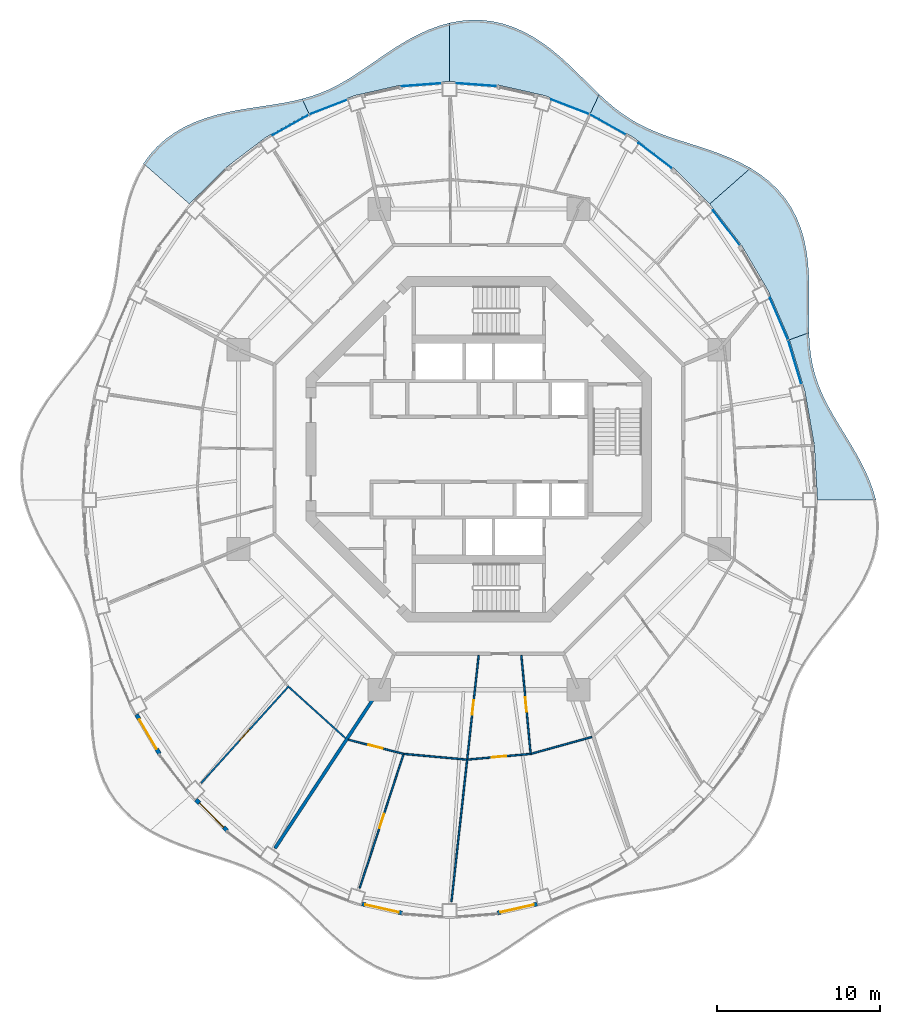
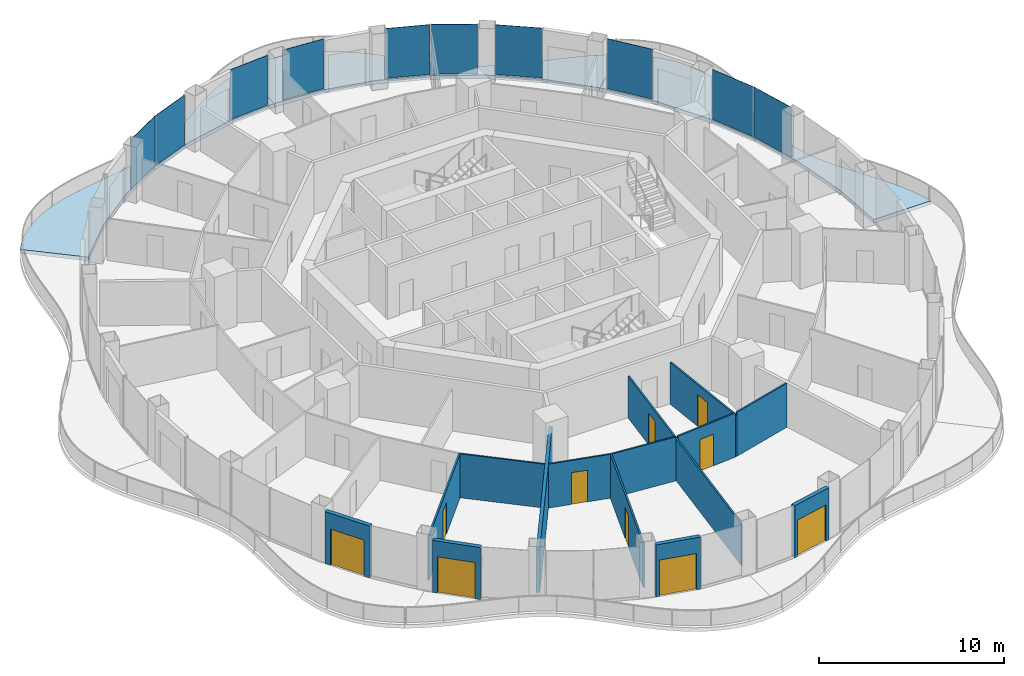
# One storey, part 9 of 17: 14 walls, 10 doors, 10 plates, 6 slabs, 10 openings, 10 elements without a shape of their own.
"""IFC4 building model written with IfcOpenShell, lengths in metres."""

from ifc_helpers import new_model, si_unit, direction, frame, frame_2d, origin, origin_2d, place, context, subcontext, project, spatial, polyline, rectangle, outline, extrude, material, layer, layer_set, type_object, element, fill, aggregate, save


model = new_model("IFC4")

# Units and contexts
model_context = context("Model", 3, precision=1e-05, world=origin(), true_north=direction((0.0, 1.0)))
body_context = subcontext(model_context, "Body", "Model", "MODEL_VIEW")
ifc_project = project(units=[si_unit("LENGTHUNIT", "METRE"), si_unit("AREAUNIT", "SQUARE_METRE"), si_unit("VOLUMEUNIT", "CUBIC_METRE"), si_unit("PLANEANGLEUNIT", "RADIAN"), si_unit("MASSUNIT", "GRAM", prefix="KILO")], contexts=[model_context])

# Site, building, storey
site_placement = place(None, origin())
site = spatial("IfcSite", under=ifc_project, at=site_placement, CompositionType="ELEMENT")
building_placement = place(site_placement, origin())
building = spatial("IfcBuilding", under=site, at=building_placement, Name="Nagisa Residences", CompositionType="ELEMENT")
storey_placement = place(building_placement, frame((0.0, 0.0, 273.300048828125)))
storey = spatial("IfcBuildingStorey", under=building, at=storey_placement, Name="L69", CompositionType="ELEMENT", Elevation=273.300048828125)

# Slabs
ifc_material_1 = material(Name="Concrete C40/50", Category="concrete")
ifc_layer_1 = layer(ifc_material_1, 0.25)
ifc_layer_set_1 = layer_set([ifc_layer_1], Name="BALCONY SLAB 250")
slab_type = type_object("IfcSlabType", Name="BALCONY SLAB 250", PredefinedType="FLOOR", material=ifc_layer_set_1)
slab_1_placement = place(storey_placement, frame((0.0, 0.0, -0.25)))
element("IfcSlab", 1, at=slab_1_placement, inside=storey, type_object=slab_type, Name="slab:L69:bal00", PredefinedType="FLOOR", context=body_context, shape_type="SweptSolid", body=[
    extrude(outline(polyline([(24.41357421875, -3.11767578125), (24.20654296875, -2.416748046875), (23.939697265625, -1.726806640625), (23.624267578125, -1.0498046875), (23.2724609375, -0.3876953125), (22.897705078125, 0.25927734375), (22.513671875, 0.891845703125), (22.134033203125, 1.51220703125), (21.77099609375, 2.123291015625), (21.435791015625, 2.728515625), (21.13720703125, 3.33251953125), (20.88232421875, 3.93994140625), (20.674560546875, 4.55517578125), (20.515380859375, 5.1826171875), (20.403076171875, 5.825927734375), (20.3330078125, 6.48779296875), (20.298095703125, 7.16943359375), (19.09814453125, 6.732666015625), (20.04931640625, 3.544189453125), (20.62646484375, 0.241943359375), (20.820068359375, -3.11767578125), (24.41357421875, -3.11767578125)])), origin(), (0.0, 0.0, 1.0), 0.25),
])
slab_2_placement = place(storey_placement, frame((0.0, 0.0, -0.25)))
element("IfcSlab", 2, at=slab_2_placement, inside=storey, type_object=slab_type, Name="slab:L69:bal01", PredefinedType="FLOOR", context=body_context, shape_type="SweptSolid", body=[
    extrude(outline(polyline([(20.298095703125, 7.16943359375), (20.2890625, 7.84912109375), (20.29443359375, 8.546142578125), (20.303466796875, 9.258544921875), (20.30419921875, 9.98193359375), (20.28515625, 10.711181640625), (20.2353515625, 11.440673828125), (20.14453125, 12.1630859375), (20.00390625, 12.871826171875), (19.80615234375, 13.558837890625), (19.546875, 14.217529296875), (19.22314453125, 14.841064453125), (18.83447265625, 15.424072265625), (18.38330078125, 15.962158203125), (17.873046875, 16.452392578125), (17.310302734375, 16.89404296875), (16.70263671875, 17.287353515625), (14.19482421875, 15.083251953125), (16.145751953125, 12.5517578125), (17.78955078125, 9.752197265625), (19.09814453125, 6.732666015625), (20.298095703125, 7.16943359375)])), origin(), (0.0, 0.0, 1.0), 0.25),
])
slab_3_placement = place(storey_placement, frame((0.0, 0.0, -0.25)))
element("IfcSlab", 3, at=slab_3_placement, inside=storey, type_object=slab_type, Name="slab:L69:bal02", PredefinedType="FLOOR", context=body_context, shape_type="SweptSolid", body=[
    extrude(outline(polyline([(16.70263671875, 17.287353515625), (16.08984375, 17.61962890625), (15.45263671875, 17.91455078125), (14.7998046875, 18.1767578125), (14.139892578125, 18.4130859375), (13.480712890625, 18.630615234375), (12.829833984375, 18.837158203125), (12.193359375, 19.041015625), (11.576171875, 19.250732421875), (10.9814453125, 19.4736328125), (10.41064453125, 19.717041015625), (9.864501953125, 19.98681640625), (9.341064453125, 20.287109375), (8.837646484375, 20.620849609375), (8.350341796875, 20.989013671875), (7.873779296875, 21.390380859375), (7.402587890625, 21.822021484375), (6.856201171875, 20.6630859375), (9.510009765625, 19.173828125), (11.97021484375, 17.30322265625), (14.19482421875, 15.083251953125), (16.70263671875, 17.287353515625)])), origin(), (0.0, 0.0, 1.0), 0.25),
])
slab_4_placement = place(storey_placement, frame((0.0, 0.0, -0.25)))
element("IfcSlab", 4, at=slab_4_placement, inside=storey, type_object=slab_type, Name="slab:L69:bal03", PredefinedType="FLOOR", context=body_context, shape_type="SweptSolid", body=[
    extrude(outline(polyline([(7.402587890625, 21.822021484375), (6.94775390625, 22.261474609375), (6.487060546875, 22.718017578125), (6.015625, 23.184326171875), (5.528564453125, 23.651611328125), (5.0224609375, 24.110595703125), (4.494873046875, 24.551513671875), (3.943603515625, 24.96435546875), (3.36865234375, 25.33984375), (2.770751953125, 25.668701171875), (2.151611328125, 25.943603515625), (1.51416015625, 26.15771484375), (0.862060546875, 26.306640625), (0.199951171875, 26.38671875), (-0.4677734375, 26.3974609375), (-1.135986328125, 26.339599609375), (-1.800048828125, 26.2158203125), (-1.800048828125, 22.622314453125), (1.152587890625, 22.402099609375), (4.054443359375, 21.745361328125), (6.856201171875, 20.6630859375), (7.402587890625, 21.822021484375)])), origin(), (0.0, 0.0, 1.0), 0.25),
])
slab_5_placement = place(storey_placement, frame((0.0, 0.0, -0.25)))
element("IfcSlab", 5, at=slab_5_placement, inside=storey, type_object=slab_type, Name="slab:L69:bal04", PredefinedType="FLOOR", context=body_context, shape_type="SweptSolid", body=[
    extrude(outline(polyline([(-1.800048828125, 26.2158203125), (-2.455322265625, 26.03125), (-3.09814453125, 25.792236328125), (-3.7255859375, 25.506591796875), (-4.33544921875, 25.183349609375), (-4.9267578125, 24.83203125), (-5.5, 24.462890625), (-6.056396484375, 24.086181640625), (-6.597900390625, 23.7109375), (-7.128173828125, 23.346435546875), (-7.650634765625, 23.00048828125), (-8.169921875, 22.678955078125), (-8.690673828125, 22.386962890625), (-9.21728515625, 22.127197265625), (-9.75390625, 21.90087890625), (-10.304443359375, 21.707275390625), (-10.87158203125, 21.543701171875), (-10.456298828125, 20.6630859375), (-7.654541015625, 21.745361328125), (-4.75244140625, 22.402099609375), (-1.800048828125, 22.622314453125), (-1.800048828125, 26.2158203125)])), origin(), (0.0, 0.0, 1.0), 0.25),
])
slab_6_placement = place(storey_placement, frame((0.0, 0.0, -0.25)))
element("IfcSlab", 6, at=slab_6_placement, inside=storey, type_object=slab_type, Name="slab:L69:bal05", PredefinedType="FLOOR", context=body_context, shape_type="SweptSolid", body=[
    extrude(outline(polyline([(-10.87158203125, 21.543701171875), (-11.4794921875, 21.401611328125), (-12.10791015625, 21.28125), (-12.75634765625, 21.17529296875), (-13.42236328125, 21.074951171875), (-14.102294921875, 20.971435546875), (-14.791259765625, 20.85546875), (-15.482666015625, 20.71826171875), (-16.169921875, 20.55126953125), (-16.84521484375, 20.34716796875), (-17.50048828125, 20.099853515625), (-18.1279296875, 19.8046875), (-18.72021484375, 19.458984375), (-19.270751953125, 19.061279296875), (-19.77392578125, 18.6123046875), (-20.2255859375, 18.11376953125), (-20.623779296875, 17.5693359375), (-17.794677734375, 15.083251953125), (-15.570068359375, 17.30322265625), (-13.110107421875, 19.173828125), (-10.456298828125, 20.6630859375), (-10.87158203125, 21.543701171875)])), origin(), (0.0, 0.0, 1.0), 0.25),
])

# Curtain wall, plate
ifc_material_2 = material(Name="Concrete-coloured aluminium curtain wall system", Category="concrete")
ifc_layer_2 = layer(ifc_material_2, 0.159912109375)
ifc_layer_set_2 = layer_set([ifc_layer_2], Name="CW1 CURTAIN WALL")
curtain_wall_type = type_object("IfcCurtainWallType", Name="CW1 CURTAIN WALL", PredefinedType="NOTDEFINED", material=ifc_layer_set_2)
curtain_wall_1_placement = place(storey_placement, origin())
curtain_wall_1 = element("IfcCurtainWall", 7, at=curtain_wall_1_placement, inside=storey, type_object=curtain_wall_type, Name="cw:CW1:L69:02", PredefinedType="NOTDEFINED")
ifc_material_3 = material(Name="Clear laminated glass", Category="glass")
ifc_layer_3 = layer(ifc_material_3, 0.028076171875)
ifc_layer_set_3 = layer_set([ifc_layer_3], Name="CW1 GLASS PANEL")
plate_type = type_object("IfcPlateType", Name="CW1 GLASS PANEL", PredefinedType="CURTAIN_PANEL", material=ifc_layer_set_3)
plate_1_placement = place(storey_placement, frame((19.424072265625, 5.35986328125, 0.14990234375), z_axis=(0.0, 0.0, 1.0), x_axis=(-0.285860274038, 0.958271310082, 0.0)))
plate_1 = element("IfcPlate", 8, at=plate_1_placement, type_object=plate_type, Name="CW1 panel", PredefinedType="CURTAIN_PANEL", context=body_context, shape_type="SweptSolid", body=[
    extrude(rectangle(XDim=2.817138671875, YDim=0.028076171875, at=origin_2d()), origin(), (0.0, 0.0, 1.0), 3.2900390625),
])
aggregate(curtain_wall_1, [plate_1])

curtain_wall_2_placement = place(storey_placement, origin())
curtain_wall_2 = element("IfcCurtainWall", 9, at=curtain_wall_2_placement, inside=storey, type_object=curtain_wall_type, Name="cw:CW1:L69:03", PredefinedType="NOTDEFINED")
plate_2_placement = place(storey_placement, frame((18.447998046875, 8.03173828125, 0.14990234375), z_axis=(0.0, 0.0, 1.0), x_axis=(-0.397635934147, 0.917543276295, 0.0)))
plate_2 = element("IfcPlate", 10, at=plate_2_placement, type_object=plate_type, Name="CW1 panel", PredefinedType="CURTAIN_PANEL", context=body_context, shape_type="SweptSolid", body=[
    extrude(rectangle(XDim=2.781005859375, YDim=0.028076171875, at=origin_2d()), origin(), (0.0, 0.0, 1.0), 3.2900390625),
])
aggregate(curtain_wall_2, [plate_2])

curtain_wall_3_placement = place(storey_placement, origin())
curtain_wall_3 = element("IfcCurtainWall", 11, at=curtain_wall_3_placement, inside=storey, type_object=curtain_wall_type, Name="cw:CW1:L69:05", PredefinedType="NOTDEFINED")
plate_3_placement = place(storey_placement, frame((15.225830078125, 13.6142578125, 0.14990234375), z_axis=(0.0, 0.0, 1.0), x_axis=(-0.610429828235, 0.792070340816, 0.0)))
plate_3 = element("IfcPlate", 12, at=plate_3_placement, type_object=plate_type, Name="CW1 panel", PredefinedType="CURTAIN_PANEL", context=body_context, shape_type="SweptSolid", body=[
    extrude(rectangle(XDim=2.68603515625, YDim=0.028076171875, at=origin_2d()), origin(), (0.0, 0.0, 1.0), 3.2900390625),
])
aggregate(curtain_wall_3, [plate_3])

curtain_wall_4_placement = place(storey_placement, origin())
curtain_wall_4 = element("IfcCurtainWall", 13, at=curtain_wall_4_placement, inside=storey, type_object=curtain_wall_type, Name="cw:CW1:L69:07", PredefinedType="NOTDEFINED")
plate_4_placement = place(storey_placement, frame((10.846923828125, 18.056884765625, 0.14990234375), z_axis=(0.0, 0.0, 1.0), x_axis=(-0.79603132756, 0.605255421737, 0.0)))
plate_4 = element("IfcPlate", 14, at=plate_4_placement, type_object=plate_type, Name="CW1 panel", PredefinedType="CURTAIN_PANEL", context=body_context, shape_type="SweptSolid", body=[
    extrude(rectangle(XDim=2.58056640625, YDim=0.028076171875, at=origin_2d()), origin(), (0.0, 0.0, 1.0), 3.2900390625),
])
aggregate(curtain_wall_4, [plate_4])

curtain_wall_5_placement = place(storey_placement, origin())
curtain_wall_5 = element("IfcCurtainWall", 15, at=curtain_wall_5_placement, inside=storey, type_object=curtain_wall_type, Name="cw:CW1:L69:08", PredefinedType="NOTDEFINED")
plate_5_placement = place(storey_placement, frame((7.921630859375, 19.973388671875, 0.14990234375), z_axis=(0.0, 0.0, 1.0), x_axis=(-0.872072377523, 0.489376918501, 0.0)))
plate_5 = element("IfcPlate", 16, at=plate_5_placement, type_object=plate_type, Name="CW1 panel", PredefinedType="CURTAIN_PANEL", context=body_context, shape_type="SweptSolid", body=[
    extrude(rectangle(XDim=2.532958984375, YDim=0.028076171875, at=origin_2d()), origin(), (0.0, 0.0, 1.0), 3.2900390625),
])
aggregate(curtain_wall_5, [plate_5])

curtain_wall_6_placement = place(storey_placement, origin())
curtain_wall_6 = element("IfcCurtainWall", 17, at=curtain_wall_6_placement, inside=storey, type_object=curtain_wall_type, Name="cw:CW1:L69:09", PredefinedType="NOTDEFINED")
plate_6_placement = place(storey_placement, frame((5.6083984375, 21.059326171875, 0.14990234375), z_axis=(0.0, 0.0, 1.0), x_axis=(-0.932825759707, 0.360327770268, 0.0)))
plate_6 = element("IfcPlate", 18, at=plate_6_placement, type_object=plate_type, Name="CW1 panel", PredefinedType="CURTAIN_PANEL", context=body_context, shape_type="SweptSolid", body=[
    extrude(rectangle(XDim=2.49365234375, YDim=0.028076171875, at=origin_2d()), origin(), (0.0, 0.0, 1.0), 3.2900390625),
])
aggregate(curtain_wall_6, [plate_6])

curtain_wall_7_placement = place(storey_placement, origin())
curtain_wall_7 = element("IfcCurtainWall", 19, at=curtain_wall_7_placement, inside=storey, type_object=curtain_wall_type, Name="cw:CW1:L69:11", PredefinedType="NOTDEFINED")
plate_7_placement = place(storey_placement, frame((-0.13525390625, 22.41796875, 0.14990234375), z_axis=(0.0, 0.0, 1.0), x_axis=(-0.997230168512, 0.074377355493, 0.0)))
plate_7 = element("IfcPlate", 20, at=plate_7_placement, type_object=plate_type, Name="CW1 panel", PredefinedType="CURTAIN_PANEL", context=body_context, shape_type="SweptSolid", body=[
    extrude(rectangle(XDim=2.45068359375, YDim=0.028076171875, at=origin_2d()), origin(), (0.0, 0.0, 1.0), 3.2900390625),
])
aggregate(curtain_wall_7, [plate_7])

curtain_wall_8_placement = place(storey_placement, origin())
curtain_wall_8 = element("IfcCurtainWall", 21, at=curtain_wall_8_placement, inside=storey, type_object=curtain_wall_type, Name="cw:CW1:L69:12", PredefinedType="NOTDEFINED")
plate_8_placement = place(storey_placement, frame((-3.524658203125, 22.41357421875, 0.14990234375), z_axis=(0.0, 0.0, 1.0), x_axis=(-0.997230168512, -0.074377355493, 0.0)))
plate_8 = element("IfcPlate", 22, at=plate_8_placement, type_object=plate_type, Name="CW1 panel", PredefinedType="CURTAIN_PANEL", context=body_context, shape_type="SweptSolid", body=[
    extrude(rectangle(XDim=2.45068359375, YDim=0.028076171875, at=origin_2d()), origin(), (0.0, 0.0, 1.0), 3.2900390625),
])
aggregate(curtain_wall_8, [plate_8])

curtain_wall_9_placement = place(storey_placement, origin())
curtain_wall_9 = element("IfcCurtainWall", 23, at=curtain_wall_9_placement, inside=storey, type_object=curtain_wall_type, Name="cw:CW1:L69:14", PredefinedType="NOTDEFINED")
plate_9_placement = place(storey_placement, frame((-9.264404296875, 21.03759765625, 0.14990234375), z_axis=(0.0, 0.0, 1.0), x_axis=(-0.932825759707, -0.360327770268, 0.0)))
plate_9 = element("IfcPlate", 24, at=plate_9_placement, type_object=plate_type, Name="CW1 panel", PredefinedType="CURTAIN_PANEL", context=body_context, shape_type="SweptSolid", body=[
    extrude(rectangle(XDim=2.49365234375, YDim=0.028076171875, at=origin_2d()), origin(), (0.0, 0.0, 1.0), 3.2900390625),
])
aggregate(curtain_wall_9, [plate_9])

curtain_wall_10_placement = place(storey_placement, origin())
curtain_wall_10 = element("IfcCurtainWall", 25, at=curtain_wall_10_placement, inside=storey, type_object=curtain_wall_type, Name="cw:CW1:L69:15", PredefinedType="NOTDEFINED")
plate_10_placement = place(storey_placement, frame((-11.573974609375, 19.944091796875, 0.14990234375), z_axis=(0.0, 0.0, 1.0), x_axis=(-0.872072377523, -0.489376918501, 0.0)))
plate_10 = element("IfcPlate", 26, at=plate_10_placement, type_object=plate_type, Name="CW1 panel", PredefinedType="CURTAIN_PANEL", context=body_context, shape_type="SweptSolid", body=[
    extrude(rectangle(XDim=2.532958984375, YDim=0.028076171875, at=origin_2d()), origin(), (0.0, 0.0, 1.0), 3.2900390625),
])
aggregate(curtain_wall_10, [plate_10])

# Wall
ifc_material_4 = material(Name="Gypsum board on steel studs", Category="steel")
ifc_layer_4 = layer(ifc_material_4, 0.199951171875)
ifc_layer_set_4 = layer_set([ifc_layer_4], Name="Apartment compartment wall EI60 200")
wall_type_1 = type_object("IfcWallType", Name="Apartment compartment wall EI60 200", PredefinedType="PARTITIONING", material=ifc_layer_set_4)
wall_1_placement = place(storey_placement, frame((-6.150634765625, -14.82373046875, 0.0), z_axis=(0.0, 0.0, 1.0), x_axis=(-0.549345577828, -0.835595258556, 0.0)))
element("IfcWall", 27, at=wall_1_placement, inside=storey, type_object=wall_type_1, Name="wall:L69:u07", PredefinedType="PARTITIONING", context=body_context, shape_type="SweptSolid", body=[
    extrude(rectangle(XDim=11.619873046875, YDim=0.199951171875, at=frame_2d((5.81005859375, 0.0))), origin(), (0.0, 0.0, 1.0), 2.905029296875),
])

# Wall, opening, door
ifc_material_5 = material(Name="Gypsum board on steel studs", Category="steel")
ifc_layer_5 = layer(ifc_material_5, 0.10009765625)
ifc_layer_set_5 = layer_set([ifc_layer_5], Name="Apartment partition 100")
wall_type_2 = type_object("IfcWallType", Name="Apartment partition 100", PredefinedType="PARTITIONING", material=ifc_layer_set_5)
wall_2_placement = place(storey_placement, frame((-11.67919921875, -14.55712890625, 0.0), z_axis=(0.0, 0.0, 1.0), x_axis=(-0.670800011545, -0.741638284146, 0.0)))
wall_2 = element("IfcWall", 28, at=wall_2_placement, inside=storey, type_object=wall_type_2, Name="wall:L69:u51", PredefinedType="PARTITIONING", context=body_context, shape_type="SweptSolid", body=[
    extrude(rectangle(XDim=8.068115234375, YDim=0.10009765625, at=frame_2d((4.0341796875, 0.0))), origin(), (0.0, 0.0, 1.0), 2.905029296875),
])
opening_1_placement = place(wall_2_placement, frame((3.609130859375, 0.0, 0.0)))
opening_1 = element("IfcOpeningElement", 29, at=opening_1_placement, cuts=wall_2, Name="Opening L69-U22", PredefinedType="OPENING", context=body_context, shape_type="SweptSolid", body=[
    extrude(rectangle(XDim=0.89990234375, YDim=2.10009765625, at=frame_2d((0.449951171875, 1.050048828125))), frame((0.0, 0.06005859375, 0.0), z_axis=(0.0, -1.0, 0.0), x_axis=(1.0, 0.0, 0.0)), (0.0, 0.0, 1.0), 0.1201171875),
])
ifc_material_6 = material(Name="Timber door set", Category="wood")
door_type_1 = type_object("IfcDoorType", Name="Apartment door 900x2100", OperationType="NOTDEFINED", PredefinedType="DOOR", material=ifc_material_6)
door_1_placement = place(opening_1_placement, origin())
door_1 = element("IfcDoor", 30, at=door_1_placement, inside=storey, type_object=door_type_1, Name="Door to master bedroom, Apartment 69C", OperationType="SINGLE_SWING_RIGHT", OverallHeight=2.10009765625, OverallWidth=0.89990234375, PredefinedType="DOOR", context=body_context, shape_type="SweptSolid", body=[
    extrude(rectangle(XDim=0.89990234375, YDim=2.10009765625, at=frame_2d((0.449951171875, 1.050048828125))), frame((0.0, 0.02490234375, 0.0), z_axis=(0.0, -1.0, 0.0), x_axis=(1.0, 0.0, 0.0)), (0.0, 0.0, 1.0), 0.050048828125),
])
fill(opening_1, door_1)

# Wall
wall_3_placement = place(storey_placement, frame((-11.675537109375, -14.627685546875, 0.0), z_axis=(0.0, 0.0, 1.0), x_axis=(0.74245829867, -0.669892285921, 0.0)))
element("IfcWall", 31, at=wall_3_placement, inside=storey, type_object=wall_type_2, Name="wall:L69:u52", PredefinedType="PARTITIONING", context=body_context, shape_type="SweptSolid", body=[
    extrude(rectangle(XDim=4.679931640625, YDim=0.10009765625, at=frame_2d((2.33984375, 0.0))), origin(), (0.0, 0.0, 1.0), 2.905029296875),
])

# Wall, opening, door
wall_4_placement = place(storey_placement, frame((-8.02978515625, -17.8544921875, 0.0), z_axis=(0.0, 0.0, 1.0), x_axis=(0.968441967324, -0.249239154077, 0.0)))
wall_4 = element("IfcWall", 32, at=wall_4_placement, inside=storey, type_object=wall_type_2, Name="wall:L69:u53", PredefinedType="PARTITIONING", context=body_context, shape_type="SweptSolid", body=[
    extrude(rectangle(XDim=3.467529296875, YDim=0.10009765625, at=frame_2d((1.73388671875, 0.0))), origin(), (0.0, 0.0, 1.0), 2.905029296875),
])
opening_2_placement = place(wall_4_placement, frame((1.28369140625, 0.0, 0.0)))
opening_2 = element("IfcOpeningElement", 33, at=opening_2_placement, cuts=wall_4, Name="Opening L69-U28", PredefinedType="OPENING", context=body_context, shape_type="SweptSolid", body=[
    extrude(rectangle(XDim=0.89990234375, YDim=2.10009765625, at=frame_2d((0.449951171875, 1.050048828125))), frame((0.0, 0.06005859375, 0.0), z_axis=(0.0, -1.0, 0.0), x_axis=(1.0, 0.0, 0.0)), (0.0, 0.0, 1.0), 0.1201171875),
])
door_2_placement = place(opening_2_placement, frame((0.89990234375, 0.0, 0.0), x_axis=(-1.0, 0.0, 0.0)))
door_2 = element("IfcDoor", 34, at=door_2_placement, inside=storey, type_object=door_type_1, Name="Door to kitchen, Apartment 69D", OperationType="SINGLE_SWING_LEFT", OverallHeight=2.10009765625, OverallWidth=0.89990234375, PredefinedType="DOOR", context=body_context, shape_type="SweptSolid", body=[
    extrude(rectangle(XDim=0.89990234375, YDim=2.10009765625, at=frame_2d((0.449951171875, 1.050048828125))), frame((0.0, 0.02490234375, 0.0), z_axis=(0.0, -1.0, 0.0), x_axis=(1.0, 0.0, 0.0)), (0.0, 0.0, 1.0), 0.050048828125),
])
fill(opening_2, door_2)

wall_5_placement = place(storey_placement, frame((-4.607666015625, -18.68359375, 0.0), z_axis=(0.0, 0.0, 1.0), x_axis=(-0.311419102378, -0.95027266754, 0.0)))
wall_5 = element("IfcWall", 35, at=wall_5_placement, inside=storey, type_object=wall_type_2, Name="wall:L69:u54", PredefinedType="PARTITIONING", context=body_context, shape_type="SweptSolid", body=[
    extrude(rectangle(XDim=8.73486328125, YDim=0.10009765625, at=frame_2d((4.367431640625, 0.0))), origin(), (0.0, 0.0, 1.0), 2.905029296875),
])
opening_3_placement = place(wall_5_placement, frame((3.9423828125, 0.0, 0.0)))
opening_3 = element("IfcOpeningElement", 36, at=opening_3_placement, cuts=wall_5, Name="Opening L69-U29", PredefinedType="OPENING", context=body_context, shape_type="SweptSolid", body=[
    extrude(rectangle(XDim=0.89990234375, YDim=2.10009765625, at=frame_2d((0.449951171875, 1.050048828125))), frame((0.0, 0.06005859375, 0.0), z_axis=(0.0, -1.0, 0.0), x_axis=(1.0, 0.0, 0.0)), (0.0, 0.0, 1.0), 0.1201171875),
])
door_3_placement = place(opening_3_placement, origin())
door_3 = element("IfcDoor", 37, at=door_3_placement, inside=storey, type_object=door_type_1, Name="Door to master bedroom, Apartment 69D", OperationType="SINGLE_SWING_LEFT", OverallHeight=2.10009765625, OverallWidth=0.89990234375, PredefinedType="DOOR", context=body_context, shape_type="SweptSolid", body=[
    extrude(rectangle(XDim=0.89990234375, YDim=2.10009765625, at=frame_2d((0.449951171875, 1.050048828125))), frame((0.0, 0.02490234375, 0.0), z_axis=(0.0, -1.0, 0.0), x_axis=(1.0, 0.0, 0.0)), (0.0, 0.0, 1.0), 0.050048828125),
])
fill(opening_3, door_3)

# Wall
wall_6_placement = place(storey_placement, frame((-4.5732421875, -18.735595703125, 0.0), z_axis=(0.0, 0.0, 1.0), x_axis=(0.995986472869, -0.089503887414, 0.0)))
element("IfcWall", 38, at=wall_6_placement, inside=storey, type_object=wall_type_2, Name="wall:L69:u55", PredefinedType="PARTITIONING", context=body_context, shape_type="SweptSolid", body=[
    extrude(rectangle(XDim=3.81884765625, YDim=0.10009765625, at=frame_2d((1.909423828125, 0.0))), origin(), (0.0, 0.0, 1.0), 2.905029296875),
])

# Wall, opening, door
wall_7_placement = place(storey_placement, frame((-0.010986328125, -12.6640625, 0.0), z_axis=(0.0, 0.0, 1.0), x_axis=(-0.109805889692, -0.993953050495, 0.0)))
wall_7 = element("IfcWall", 39, at=wall_7_placement, inside=storey, type_object=wall_type_2, Name="wall:L69:u56", PredefinedType="PARTITIONING", context=body_context, shape_type="SweptSolid", body=[
    extrude(rectangle(XDim=15.248046875, YDim=0.10009765625, at=frame_2d((7.6240234375, 0.0))), origin(), (0.0, 0.0, 1.0), 2.761962890625),
])
opening_4_placement = place(wall_7_placement, frame((2.7783203125, 0.0, 0.0)))
opening_4 = element("IfcOpeningElement", 40, at=opening_4_placement, cuts=wall_7, Name="Opening L69-U26", PredefinedType="OPENING", context=body_context, shape_type="SweptSolid", body=[
    extrude(rectangle(XDim=0.89990234375, YDim=2.10009765625, at=frame_2d((0.449951171875, 1.050048828125))), frame((0.0, 0.06005859375, 0.0), z_axis=(0.0, -1.0, 0.0), x_axis=(1.0, 0.0, 0.0)), (0.0, 0.0, 1.0), 0.1201171875),
])
door_4_placement = place(opening_4_placement, frame((0.89990234375, 0.0, 0.0), x_axis=(-1.0, 0.0, 0.0)))
door_4 = element("IfcDoor", 41, at=door_4_placement, inside=storey, type_object=door_type_1, Name="Door to store, Apartment 69D", OperationType="SINGLE_SWING_LEFT", OverallHeight=2.10009765625, OverallWidth=0.89990234375, PredefinedType="DOOR", context=body_context, shape_type="SweptSolid", body=[
    extrude(rectangle(XDim=0.89990234375, YDim=2.10009765625, at=frame_2d((0.449951171875, 1.050048828125))), frame((0.0, 0.02490234375, 0.0), z_axis=(0.0, -1.0, 0.0), x_axis=(1.0, 0.0, 0.0)), (0.0, 0.0, 1.0), 0.050048828125),
])
fill(opening_4, door_4)

wall_8_placement = place(storey_placement, frame((-0.670166015625, -19.077392578125, 0.0), z_axis=(0.0, 0.0, 1.0), x_axis=(0.995986472869, 0.089503887414, 0.0)))
wall_8 = element("IfcWall", 42, at=wall_8_placement, inside=storey, type_object=wall_type_2, Name="wall:L69:u57", PredefinedType="PARTITIONING", context=body_context, shape_type="SweptSolid", body=[
    extrude(rectangle(XDim=3.81884765625, YDim=0.10009765625, at=frame_2d((1.909423828125, 0.0))), origin(), (0.0, 0.0, 1.0), 2.905029296875),
])
opening_5_placement = place(wall_8_placement, frame((1.45947265625, 0.0, 0.0)))
opening_5 = element("IfcOpeningElement", 43, at=opening_5_placement, cuts=wall_8, Name="Opening L69-U30", PredefinedType="OPENING", context=body_context, shape_type="SweptSolid", body=[
    extrude(rectangle(XDim=0.89990234375, YDim=2.10009765625, at=frame_2d((0.449951171875, 1.050048828125))), frame((0.0, 0.06005859375, 0.0), z_axis=(0.0, -1.0, 0.0), x_axis=(1.0, 0.0, 0.0)), (0.0, 0.0, 1.0), 0.1201171875),
])
door_5_placement = place(opening_5_placement, frame((0.89990234375, 0.0, 0.0), x_axis=(-1.0, 0.0, 0.0)))
door_5 = element("IfcDoor", 44, at=door_5_placement, inside=storey, type_object=door_type_1, Name="Door to living room, Apartment 69D", OperationType="SINGLE_SWING_LEFT", OverallHeight=2.10009765625, OverallWidth=0.89990234375, PredefinedType="DOOR", context=body_context, shape_type="SweptSolid", body=[
    extrude(rectangle(XDim=0.89990234375, YDim=2.10009765625, at=frame_2d((0.449951171875, 1.050048828125))), frame((0.0, 0.02490234375, 0.0), z_axis=(0.0, -1.0, 0.0), x_axis=(1.0, 0.0, 0.0)), (0.0, 0.0, 1.0), 0.050048828125),
])
fill(opening_5, door_5)

wall_9_placement = place(storey_placement, frame((2.611572265625, -12.664306640625, 0.0), z_axis=(0.0, 0.0, 1.0), x_axis=(0.093781393779, -0.995592813444, 0.0)))
wall_9 = element("IfcWall", 45, at=wall_9_placement, inside=storey, type_object=wall_type_2, Name="wall:L69:u58", PredefinedType="PARTITIONING", context=body_context, shape_type="SweptSolid", body=[
    extrude(rectangle(XDim=6.143798828125, YDim=0.10009765625, at=frame_2d((3.07177734375, 0.0))), origin(), (0.0, 0.0, 1.0), 2.761962890625),
])
opening_6_placement = place(wall_9_placement, frame((2.5966796875, 0.0, 0.0)))
opening_6 = element("IfcOpeningElement", 46, at=opening_6_placement, cuts=wall_9, Name="Opening L69-U27", PredefinedType="OPENING", context=body_context, shape_type="SweptSolid", body=[
    extrude(rectangle(XDim=0.89990234375, YDim=2.10009765625, at=frame_2d((0.449951171875, 1.050048828125))), frame((0.0, 0.06005859375, 0.0), z_axis=(0.0, -1.0, 0.0), x_axis=(1.0, 0.0, 0.0)), (0.0, 0.0, 1.0), 0.1201171875),
])
door_6_placement = place(opening_6_placement, origin())
door_6 = element("IfcDoor", 47, at=door_6_placement, inside=storey, type_object=door_type_1, Name="Door to family bathroom, Apartment 69D", OperationType="SINGLE_SWING_LEFT", OverallHeight=2.10009765625, OverallWidth=0.89990234375, PredefinedType="DOOR", context=body_context, shape_type="SweptSolid", body=[
    extrude(rectangle(XDim=0.89990234375, YDim=2.10009765625, at=frame_2d((0.449951171875, 1.050048828125))), frame((0.0, 0.02490234375, 0.0), z_axis=(0.0, -1.0, 0.0), x_axis=(1.0, 0.0, 0.0)), (0.0, 0.0, 1.0), 0.050048828125),
])
fill(opening_6, door_6)

# Wall
wall_10_placement = place(storey_placement, frame((3.231201171875, -18.7177734375, 0.0), z_axis=(0.0, 0.0, 1.0), x_axis=(0.963606817151, 0.267323590318, 0.0)))
element("IfcWall", 48, at=wall_10_placement, inside=storey, type_object=wall_type_2, Name="wall:L69:u59", PredefinedType="PARTITIONING", context=body_context, shape_type="SweptSolid", body=[
    extrude(rectangle(XDim=3.85302734375, YDim=0.10009765625, at=frame_2d((1.926513671875, 0.0))), origin(), (0.0, 0.0, 1.0), 2.905029296875),
])

# Wall, opening, door
ifc_material_7 = material(Name="Precast concrete C40/50", Category="concrete")
ifc_layer_6 = layer(ifc_material_7, 0.25)
ifc_layer_set_6 = layer_set([ifc_layer_6], Name="BALCONY DOOR WALL 250")
wall_type_3 = type_object("IfcWallType", Name="BALCONY DOOR WALL 250", PredefinedType="SOLIDWALL", material=ifc_layer_set_6)
wall_11_placement = place(storey_placement, frame((-19.637939453125, -18.723876953125, 0.0), z_axis=(0.0, 0.0, 1.0), x_axis=(-0.506371364425, 0.862315511452, 0.0)))
wall_11 = element("IfcWall", 49, at=wall_11_placement, inside=storey, type_object=wall_type_3, Name="wall:L69:bay28", PredefinedType="SOLIDWALL", context=body_context, shape_type="SweptSolid", body=[
    extrude(rectangle(XDim=2.79638671875, YDim=0.25, at=frame_2d((1.398193359375, 0.0))), origin(), (0.0, 0.0, 1.0), 3.43994140625),
])
opening_7_placement = place(wall_11_placement, frame((0.34814453125, 0.0, 0.0)))
opening_7 = element("IfcOpeningElement", 50, at=opening_7_placement, cuts=wall_11, Name="Opening BD-L69-10", PredefinedType="OPENING", context=body_context, shape_type="SweptSolid", body=[
    extrude(rectangle(XDim=2.10009765625, YDim=2.39990234375, at=frame_2d((1.050048828125, 1.199951171875))), frame((0.0, 0.135009765625, 0.0), z_axis=(0.0, -1.0, 0.0), x_axis=(1.0, 0.0, 0.0)), (0.0, 0.0, 1.0), 0.27001953125),
])
ifc_material_8 = material(Name="Aluminium and clear glass", Category="aluminium")
door_type_2 = type_object("IfcDoorType", Name="BALCONY SLIDING DOOR 2100x2400", OperationType="SLIDING_TO_LEFT", PredefinedType="DOOR", material=ifc_material_8)
door_7_placement = place(opening_7_placement, origin())
door_7 = element("IfcDoor", 51, at=door_7_placement, inside=storey, type_object=door_type_2, Name="door:L69:bay28", OperationType="SLIDING_TO_LEFT", OverallHeight=2.39990234375, OverallWidth=2.10009765625, PredefinedType="DOOR", context=body_context, shape_type="SweptSolid", body=[
    extrude(rectangle(XDim=2.10009765625, YDim=2.39990234375, at=frame_2d((1.050048828125, 1.199951171875))), frame((0.0, 0.02490234375, 0.0), z_axis=(0.0, -1.0, 0.0), x_axis=(1.0, 0.0, 0.0)), (0.0, 0.0, 1.0), 0.050048828125),
])
fill(opening_7, door_7)

wall_12_placement = place(storey_placement, frame((-15.48193359375, -23.4501953125, 0.0), z_axis=(0.0, 0.0, 1.0), x_axis=(-0.707831739508, 0.706381078841, 0.0)))
wall_12 = element("IfcWall", 52, at=wall_12_placement, inside=storey, type_object=wall_type_3, Name="wall:L69:bay30", PredefinedType="SOLIDWALL", context=body_context, shape_type="SweptSolid", body=[
    extrude(rectangle(XDim=2.692626953125, YDim=0.25, at=frame_2d((1.34619140625, 0.0))), origin(), (0.0, 0.0, 1.0), 3.43994140625),
])
opening_8_placement = place(wall_12_placement, frame((0.29638671875, 0.0, 0.0)))
opening_8 = element("IfcOpeningElement", 53, at=opening_8_placement, cuts=wall_12, Name="Opening BD-L69-11", PredefinedType="OPENING", context=body_context, shape_type="SweptSolid", body=[
    extrude(rectangle(XDim=2.10009765625, YDim=2.39990234375, at=frame_2d((1.050048828125, 1.199951171875))), frame((0.0, 0.135009765625, 0.0), z_axis=(0.0, -1.0, 0.0), x_axis=(1.0, 0.0, 0.0)), (0.0, 0.0, 1.0), 0.27001953125),
])
door_8_placement = place(opening_8_placement, origin())
door_8 = element("IfcDoor", 54, at=door_8_placement, inside=storey, type_object=door_type_2, Name="door:L69:bay30", OperationType="SLIDING_TO_LEFT", OverallHeight=2.39990234375, OverallWidth=2.10009765625, PredefinedType="DOOR", context=body_context, shape_type="SweptSolid", body=[
    extrude(rectangle(XDim=2.10009765625, YDim=2.39990234375, at=frame_2d((1.050048828125, 1.199951171875))), frame((0.0, 0.02490234375, 0.0), z_axis=(0.0, -1.0, 0.0), x_axis=(1.0, 0.0, 0.0)), (0.0, 0.0, 1.0), 0.050048828125),
])
fill(opening_8, door_8)

wall_13_placement = place(storey_placement, frame((-4.724853515625, -28.515625, 0.0), z_axis=(0.0, 0.0, 1.0), x_axis=(-0.975319584032, 0.220797891756, 0.0)))
wall_13 = element("IfcWall", 55, at=wall_13_placement, inside=storey, type_object=wall_type_3, Name="wall:L69:bay34", PredefinedType="SOLIDWALL", context=body_context, shape_type="SweptSolid", body=[
    extrude(rectangle(XDim=2.525390625, YDim=0.25, at=frame_2d((1.2626953125, 0.0))), origin(), (0.0, 0.0, 1.0), 3.43994140625),
])
opening_9_placement = place(wall_13_placement, frame((0.212646484375, 0.0, 0.0)))
opening_9 = element("IfcOpeningElement", 56, at=opening_9_placement, cuts=wall_13, Name="Opening BD-L69-12", PredefinedType="OPENING", context=body_context, shape_type="SweptSolid", body=[
    extrude(rectangle(XDim=2.10009765625, YDim=2.39990234375, at=frame_2d((1.050048828125, 1.199951171875))), frame((0.0, 0.135009765625, 0.0), z_axis=(0.0, -1.0, 0.0), x_axis=(1.0, 0.0, 0.0)), (0.0, 0.0, 1.0), 0.27001953125),
])
door_9_placement = place(opening_9_placement, origin())
door_9 = element("IfcDoor", 57, at=door_9_placement, inside=storey, type_object=door_type_2, Name="door:L69:bay34", OperationType="SLIDING_TO_LEFT", OverallHeight=2.39990234375, OverallWidth=2.10009765625, PredefinedType="DOOR", context=body_context, shape_type="SweptSolid", body=[
    extrude(rectangle(XDim=2.10009765625, YDim=2.39990234375, at=frame_2d((1.050048828125, 1.199951171875))), frame((0.0, 0.02490234375, 0.0), z_axis=(0.0, -1.0, 0.0), x_axis=(1.0, 0.0, 0.0)), (0.0, 0.0, 1.0), 0.050048828125),
])
fill(opening_9, door_9)

wall_14_placement = place(storey_placement, frame((3.587890625, -27.9580078125, 0.0), z_axis=(0.0, 0.0, 1.0), x_axis=(-0.97531487046, -0.22081871175, 0.0)))
wall_14 = element("IfcWall", 58, at=wall_14_placement, inside=storey, type_object=wall_type_3, Name="wall:L69:bay37", PredefinedType="SOLIDWALL", context=body_context, shape_type="SweptSolid", body=[
    extrude(rectangle(XDim=2.525146484375, YDim=0.25, at=frame_2d((1.2626953125, 0.0))), origin(), (0.0, 0.0, 1.0), 3.43994140625),
])
opening_10_placement = place(wall_14_placement, frame((0.212646484375, 0.0, 0.0)))
opening_10 = element("IfcOpeningElement", 59, at=opening_10_placement, cuts=wall_14, Name="Opening BD-L69-13", PredefinedType="OPENING", context=body_context, shape_type="SweptSolid", body=[
    extrude(rectangle(XDim=2.10009765625, YDim=2.39990234375, at=frame_2d((1.050048828125, 1.199951171875))), frame((0.0, 0.135009765625, 0.0), z_axis=(0.0, -1.0, 0.0), x_axis=(1.0, 0.0, 0.0)), (0.0, 0.0, 1.0), 0.27001953125),
])
door_10_placement = place(opening_10_placement, origin())
door_10 = element("IfcDoor", 60, at=door_10_placement, inside=storey, type_object=door_type_2, Name="door:L69:bay37", OperationType="SLIDING_TO_LEFT", OverallHeight=2.39990234375, OverallWidth=2.10009765625, PredefinedType="DOOR", context=body_context, shape_type="SweptSolid", body=[
    extrude(rectangle(XDim=2.10009765625, YDim=2.39990234375, at=frame_2d((1.050048828125, 1.199951171875))), frame((0.0, 0.02490234375, 0.0), z_axis=(0.0, -1.0, 0.0), x_axis=(1.0, 0.0, 0.0)), (0.0, 0.0, 1.0), 0.050048828125),
])
fill(opening_10, door_10)

save(model, "model.ifc")
